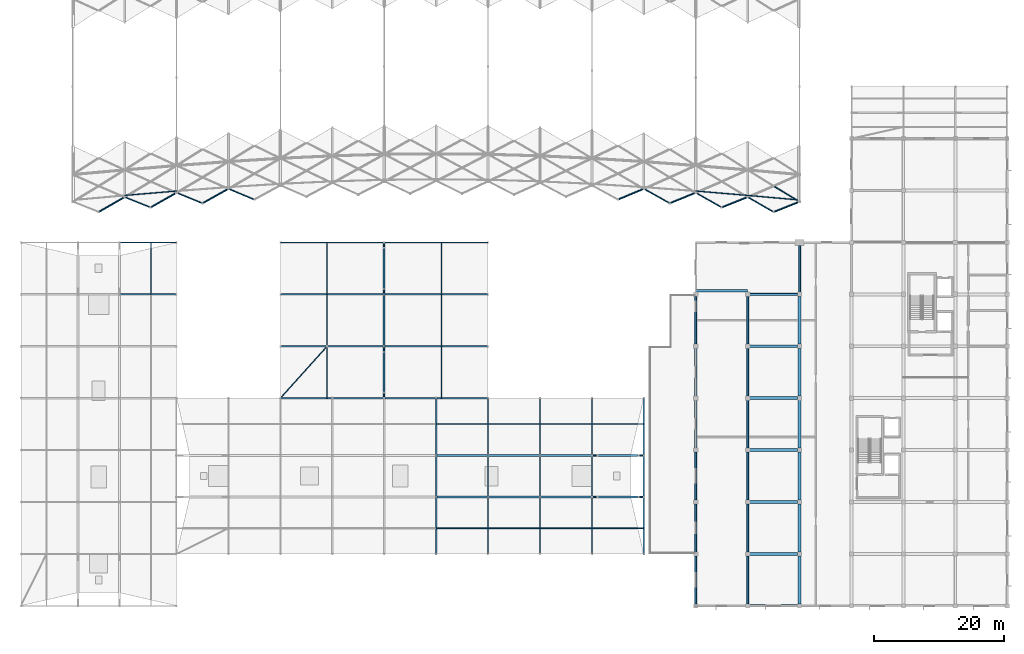
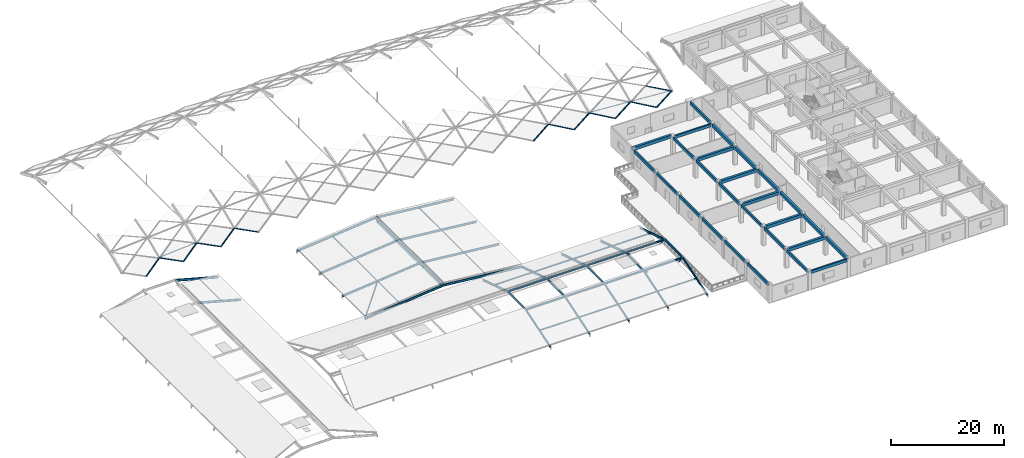
# One storey, part 3 of 54: 53 members, 52 beams.
"""IFC4 building model written with IfcOpenShell, lengths in metres."""

from ifc_helpers import new_model, si_unit, direction, frame, origin, origin_2d, place, context, subcontext, project, spatial, rectangle, hollow_rectangle, hollow_circle, i_section, extrude, material, material_profile, profile_set, type_object, element, save


model = new_model("IFC4")

# Units and contexts
model_context = context("Model", 3, precision=1e-05, world=origin(), true_north=direction((0.0, 1.0)))
body_context = subcontext(model_context, "Body", "Model", "MODEL_VIEW")
ifc_project = project(units=[si_unit("LENGTHUNIT", "METRE"), si_unit("AREAUNIT", "SQUARE_METRE"), si_unit("VOLUMEUNIT", "CUBIC_METRE"), si_unit("PLANEANGLEUNIT", "RADIAN"), si_unit("MASSUNIT", "GRAM", prefix="KILO")], contexts=[model_context])

# Site, building, storey
site_placement = place(None, origin())
site = spatial("IfcSite", under=ifc_project, at=site_placement, CompositionType="ELEMENT")
building_placement = place(site_placement, origin())
building = spatial("IfcBuilding", under=site, at=building_placement, Name="Kenh Van Central Station", CompositionType="ELEMENT")
storey_placement = place(building_placement, frame((0.0, 0.0, 15.0)))
storey = spatial("IfcBuildingStorey", under=building, at=storey_placement, Name="L03", CompositionType="ELEMENT", Elevation=15.0)

# Beams
ifc_material_1 = material(Name="Concrete C35/45", Category="concrete")
ifc_material_profile_1 = material_profile(ifc_material_1, rectangle(XDim=0.449951171875, YDim=0.64990234375, at=origin_2d()), Name="RC 450x650")
ifc_profile_set_1 = profile_set([ifc_material_profile_1], Name="Concrete C35/45")
beam_type_1 = type_object("IfcBeamType", Name="BM-RC-450x650", PredefinedType="BEAM", material=ifc_profile_set_1)
for number, where, z_axis, x_axis, name in (
    (1, (136.31494140625, 16.0, 3.635009765625), (1.0, 0.0, 0.0), (0.0, 1.0, 0.0), "L03 beam 1109"),
    (2, (136.31494140625, 24.0, 3.635009765625), (1.0, 0.0, 0.0), (0.0, 1.0, 0.0), "L03 beam 1113"),
    (3, (136.31494140625, 32.0, 3.635009765625), (1.0, 0.0, 0.0), (0.0, 1.0, 0.0), "L03 beam 1117"),
    (4, (136.31494140625, 40.0, 3.635009765625), (1.0, 0.0, 0.0), (0.0, 1.0, 0.0), "L03 beam 1120"),
    (5, (136.31494140625, 48.0, 3.635009765625), (1.0, 0.0, 0.0), (0.0, 1.0, 0.0), "L03 beam 1124"),
    (6, (144.0, 8.31494140625, 3.659912109375), (0.0, 1.0, 0.0), (-1.0, 0.0, 0.0), "L03 beam 1152"),
    (7, (144.0, 16.31494140625, 3.635009765625), (0.0, 1.0, 0.0), (-1.0, 0.0, 0.0), "L03 beam 1153"),
    (8, (144.0, 24.31494140625, 3.635009765625), (0.0, 1.0, 0.0), (-1.0, 0.0, 0.0), "L03 beam 1154"),
    (9, (144.0, 32.31494140625, 3.635009765625), (0.0, 1.0, 0.0), (-1.0, 0.0, 0.0), "L03 beam 1155"),
    (10, (144.0, 40.31494140625, 3.635009765625), (0.0, 1.0, 0.0), (-1.0, 0.0, 0.0), "L03 beam 1156"),
    (11, (144.0, 48.31494140625, 3.635009765625), (0.0, 1.0, 0.0), (-1.0, 0.0, 0.0), "L03 beam 1157"),
):
    element("IfcBeam", number, at=place(storey_placement, frame(where, z_axis=z_axis, x_axis=x_axis)), inside=storey, type_object=beam_type_1, Name=name, PredefinedType="BEAM", context=body_context, shape_type="SweptSolid", body=[
        extrude(rectangle(XDim=0.449951171875, YDim=0.64990234375, at=origin_2d()), origin(), (0.0, 0.0, 1.0), 7.3701171875),
    ])
beam_1_placement = place(storey_placement, frame((128.0, 56.550048828125, 3.669921875), z_axis=(1.0, 0.0, 0.0), x_axis=(0.0, 1.0, 0.0)))
element("IfcBeam", 12, at=beam_1_placement, inside=storey, type_object=beam_type_1, Name="L03 north-west roof deck support beam", PredefinedType="BEAM", context=body_context, shape_type="SweptSolid", body=[
    extrude(rectangle(XDim=0.449951171875, YDim=0.64990234375, at=origin_2d()), origin(), (0.0, 0.0, 1.0), 8.0),
])
ifc_material_2 = material(Name="Steel S355", Category="steel")
ifc_material_profile_2 = material_profile(ifc_material_2, i_section(OverallWidth=0.18994140625, OverallDepth=0.449951171875, WebThickness=0.009521484375, FlangeThickness=0.0146484375, FilletRadius=0.02099609375, at=origin_2d()), Name="IPE 450")
ifc_profile_set_2 = profile_set([ifc_material_profile_2], Name="Steel S355")
beam_type_2 = type_object("IfcBeamType", Name="BM-STL-IPE450", PredefinedType="BEAM", material=ifc_profile_set_2)
beam_2_placement = place(storey_placement, frame((88.0, 16.0, -0.501708984375), z_axis=(0.0, 0.952924738396, 0.30320693091), x_axis=(-1.0, 0.0, 0.0)))
element("IfcBeam", 13, at=beam_2_placement, inside=storey, type_object=beam_type_2, Name="L03 roof rafter 057", PredefinedType="BEAM", context=body_context, shape_type="SweptSolid", body=[
    extrude(i_section(OverallWidth=0.18994140625, OverallDepth=0.449951171875, WebThickness=0.009521484375, FlangeThickness=0.0146484375, FilletRadius=0.02099609375, at=origin_2d()), origin(), (0.0, 0.0, 1.0), 9.23486328125),
])
beam_3_placement = place(storey_placement, frame((88.0, 24.800048828125, 2.29833984375), z_axis=(0.0, 0.999937113546, 0.011214675799), x_axis=(-1.0, 0.0, 0.0)))
element("IfcBeam", 14, at=beam_3_placement, inside=storey, type_object=beam_type_2, Name="L03 roof rafter 058", PredefinedType="BEAM", context=body_context, shape_type="SweptSolid", body=[
    extrude(i_section(OverallWidth=0.18994140625, OverallDepth=0.449951171875, WebThickness=0.009521484375, FlangeThickness=0.0146484375, FilletRadius=0.02099609375, at=origin_2d()), origin(), (0.0, 0.0, 1.0), 6.400390625),
])
for number, where, z_axis, x_axis, name in (
    (15, (88.0, 31.199951171875, 2.29833984375), (0.0, 0.952924738396, -0.30320693091), (-1.0, 0.0, 0.0), "L03 roof rafter 059"),
    (16, (96.0, 16.0, -0.501708984375), (0.0, 0.952924738396, 0.30320693091), (-1.0, 0.0, 0.0), "L03 roof rafter 060"),
):
    element("IfcBeam", number, at=place(storey_placement, frame(where, z_axis=z_axis, x_axis=x_axis)), inside=storey, type_object=beam_type_2, Name=name, PredefinedType="BEAM", context=body_context, shape_type="SweptSolid", body=[
        extrude(i_section(OverallWidth=0.18994140625, OverallDepth=0.449951171875, WebThickness=0.009521484375, FlangeThickness=0.0146484375, FilletRadius=0.02099609375, at=origin_2d()), origin(), (0.0, 0.0, 1.0), 9.23486328125),
    ])
beam_4_placement = place(storey_placement, frame((96.0, 24.800048828125, 2.29833984375), z_axis=(0.0, 0.999937113546, 0.011214675799), x_axis=(-1.0, 0.0, 0.0)))
element("IfcBeam", 17, at=beam_4_placement, inside=storey, type_object=beam_type_2, Name="L03 roof rafter 061", PredefinedType="BEAM", context=body_context, shape_type="SweptSolid", body=[
    extrude(i_section(OverallWidth=0.18994140625, OverallDepth=0.449951171875, WebThickness=0.009521484375, FlangeThickness=0.0146484375, FilletRadius=0.02099609375, at=origin_2d()), origin(), (0.0, 0.0, 1.0), 6.400390625),
])
for number, where, z_axis, x_axis, name in (
    (18, (96.0, 31.199951171875, 2.29833984375), (0.0, 0.952924738396, -0.30320693091), (-1.0, 0.0, 0.0), "L03 roof rafter 062"),
    (19, (104.0, 16.0, -0.501708984375), (0.0, 0.952924738396, 0.30320693091), (-1.0, 0.0, 0.0), "L03 roof rafter 063"),
):
    element("IfcBeam", number, at=place(storey_placement, frame(where, z_axis=z_axis, x_axis=x_axis)), inside=storey, type_object=beam_type_2, Name=name, PredefinedType="BEAM", context=body_context, shape_type="SweptSolid", body=[
        extrude(i_section(OverallWidth=0.18994140625, OverallDepth=0.449951171875, WebThickness=0.009521484375, FlangeThickness=0.0146484375, FilletRadius=0.02099609375, at=origin_2d()), origin(), (0.0, 0.0, 1.0), 9.23486328125),
    ])
beam_5_placement = place(storey_placement, frame((104.0, 24.800048828125, 2.29833984375), z_axis=(0.0, 0.999937113546, 0.011214675799), x_axis=(-1.0, 0.0, 0.0)))
element("IfcBeam", 20, at=beam_5_placement, inside=storey, type_object=beam_type_2, Name="L03 roof rafter 064", PredefinedType="BEAM", context=body_context, shape_type="SweptSolid", body=[
    extrude(i_section(OverallWidth=0.18994140625, OverallDepth=0.449951171875, WebThickness=0.009521484375, FlangeThickness=0.0146484375, FilletRadius=0.02099609375, at=origin_2d()), origin(), (0.0, 0.0, 1.0), 6.400390625),
])
for number, where, z_axis, x_axis, name in (
    (21, (104.0, 31.199951171875, 2.29833984375), (0.0, 0.952924738396, -0.30320693091), (-1.0, 0.0, 0.0), "L03 roof rafter 065"),
    (22, (112.0, 16.0, -0.501708984375), (0.0, 0.952924738396, 0.30320693091), (-1.0, 0.0, 0.0), "L03 roof rafter 066"),
):
    element("IfcBeam", number, at=place(storey_placement, frame(where, z_axis=z_axis, x_axis=x_axis)), inside=storey, type_object=beam_type_2, Name=name, PredefinedType="BEAM", context=body_context, shape_type="SweptSolid", body=[
        extrude(i_section(OverallWidth=0.18994140625, OverallDepth=0.449951171875, WebThickness=0.009521484375, FlangeThickness=0.0146484375, FilletRadius=0.02099609375, at=origin_2d()), origin(), (0.0, 0.0, 1.0), 9.23486328125),
    ])
beam_6_placement = place(storey_placement, frame((112.0, 24.800048828125, 2.29833984375), z_axis=(0.0, 0.999937113546, 0.011214675799), x_axis=(-1.0, 0.0, 0.0)))
element("IfcBeam", 23, at=beam_6_placement, inside=storey, type_object=beam_type_2, Name="L03 roof rafter 067", PredefinedType="BEAM", context=body_context, shape_type="SweptSolid", body=[
    extrude(i_section(OverallWidth=0.18994140625, OverallDepth=0.449951171875, WebThickness=0.009521484375, FlangeThickness=0.0146484375, FilletRadius=0.02099609375, at=origin_2d()), origin(), (0.0, 0.0, 1.0), 6.400390625),
])
for number, where, z_axis, x_axis, name in (
    (24, (112.0, 31.199951171875, 2.29833984375), (0.0, 0.952924738396, -0.30320693091), (-1.0, 0.0, 0.0), "L03 roof rafter 068"),
    (25, (120.0, 16.0, -0.501708984375), (0.0, 0.952924738396, 0.30320693091), (-1.0, 0.0, 0.0), "L03 roof rafter 069"),
):
    element("IfcBeam", number, at=place(storey_placement, frame(where, z_axis=z_axis, x_axis=x_axis)), inside=storey, type_object=beam_type_2, Name=name, PredefinedType="BEAM", context=body_context, shape_type="SweptSolid", body=[
        extrude(i_section(OverallWidth=0.18994140625, OverallDepth=0.449951171875, WebThickness=0.009521484375, FlangeThickness=0.0146484375, FilletRadius=0.02099609375, at=origin_2d()), origin(), (0.0, 0.0, 1.0), 9.23486328125),
    ])
beam_7_placement = place(storey_placement, frame((120.0, 24.800048828125, 2.29833984375), z_axis=(0.0, 0.999937113546, 0.011214675799), x_axis=(-1.0, 0.0, 0.0)))
element("IfcBeam", 26, at=beam_7_placement, inside=storey, type_object=beam_type_2, Name="L03 roof rafter 070", PredefinedType="BEAM", context=body_context, shape_type="SweptSolid", body=[
    extrude(i_section(OverallWidth=0.18994140625, OverallDepth=0.449951171875, WebThickness=0.009521484375, FlangeThickness=0.0146484375, FilletRadius=0.02099609375, at=origin_2d()), origin(), (0.0, 0.0, 1.0), 6.400390625),
])
beam_8_placement = place(storey_placement, frame((120.0, 31.199951171875, 2.29833984375), z_axis=(0.0, 0.952924738396, -0.30320693091), x_axis=(-1.0, 0.0, 0.0)))
element("IfcBeam", 27, at=beam_8_placement, inside=storey, type_object=beam_type_2, Name="L03 roof rafter 071", PredefinedType="BEAM", context=body_context, shape_type="SweptSolid", body=[
    extrude(i_section(OverallWidth=0.18994140625, OverallDepth=0.449951171875, WebThickness=0.009521484375, FlangeThickness=0.0146484375, FilletRadius=0.02099609375, at=origin_2d()), origin(), (0.0, 0.0, 1.0), 9.23486328125),
])
for number, where, z_axis, x_axis, name in (
    (28, (64.0, 40.0, -0.467041015625), (0.995038092134, 0.0, 0.099494699368), (0.0, 1.0, 0.0), "L03 roof rafter 075"),
    (29, (80.0, 40.0, 1.1328125), (0.995038092134, 0.0, -0.099494699368), (0.0, 1.0, 0.0), "L03 roof rafter 076"),
    (30, (64.0, 48.0, -0.467041015625), (0.995038092134, 0.0, 0.099494699368), (0.0, 1.0, 0.0), "L03 roof rafter 077"),
    (31, (80.0, 48.0, 1.1328125), (0.995038092134, 0.0, -0.099494699368), (0.0, 1.0, 0.0), "L03 roof rafter 078"),
    (32, (64.0, 56.0, -0.467041015625), (0.995038092134, 0.0, 0.099494699368), (0.0, 1.0, 0.0), "L03 roof rafter 079"),
    (33, (80.0, 56.0, 1.1328125), (0.995038092134, 0.0, -0.099494699368), (0.0, 1.0, 0.0), "L03 roof rafter 080"),
    (34, (64.0, 64.0, -0.467041015625), (0.995038092134, 0.0, 0.099494699368), (0.0, 1.0, 0.0), "L03 roof rafter 081"),
    (35, (80.0, 64.0, 1.1328125), (0.995038092134, 0.0, -0.099494699368), (0.0, 1.0, 0.0), "L03 roof rafter 082"),
):
    element("IfcBeam", number, at=place(storey_placement, frame(where, z_axis=z_axis, x_axis=x_axis)), inside=storey, type_object=beam_type_2, Name=name, PredefinedType="BEAM", context=body_context, shape_type="SweptSolid", body=[
        extrude(i_section(OverallWidth=0.18994140625, OverallDepth=0.449951171875, WebThickness=0.009521484375, FlangeThickness=0.0146484375, FilletRadius=0.02099609375, at=origin_2d()), origin(), (0.0, 0.0, 1.0), 16.079833984375),
    ])
for number, where, z_axis, x_axis, name in (
    (36, (39.199951171875, 56.0, 1.91943359375), (0.964766909512, 0.0, -0.263106081856), (0.0, 1.0, 0.0), "L03 roof rafter 117"),
    (37, (39.199951171875, 64.0, 1.91943359375), (0.964766909512, 0.0, -0.263106081856), (0.0, 1.0, 0.0), "L03 roof rafter 120"),
):
    element("IfcBeam", number, at=place(storey_placement, frame(where, z_axis=z_axis, x_axis=x_axis)), inside=storey, type_object=beam_type_2, Name=name, PredefinedType="BEAM", context=body_context, shape_type="SweptSolid", body=[
        extrude(i_section(OverallWidth=0.18994140625, OverallDepth=0.449951171875, WebThickness=0.009521484375, FlangeThickness=0.0146484375, FilletRadius=0.02099609375, at=origin_2d()), origin(), (0.0, 0.0, 1.0), 9.121337890625),
    ])

# Members
ifc_material_profile_3 = material_profile(ifc_material_2, i_section(OverallWidth=0.10009765625, OverallDepth=0.199951171875, WebThickness=0.005615234375, FlangeThickness=0.008544921875, FilletRadius=0.011962890625, at=origin_2d()), Name="IPE 200")
ifc_profile_set_3 = profile_set([ifc_material_profile_3], Name="Steel S355")
member_type_1 = type_object("IfcMemberType", Name="MEM-PUR-IPE200", PredefinedType="PURLIN", material=ifc_profile_set_3)
for number, where, z_axis, x_axis, name in (
    (38, (88.0, 19.9599609375, 0.75830078125), (1.0, 0.0, 0.0), (0.0, 1.0, 0.0), "L03 roof purlin 020"),
    (39, (96.0, 19.9599609375, 0.75830078125), (1.0, 0.0, 0.0), (0.0, 1.0, 0.0), "L03 roof purlin 021"),
    (40, (104.0, 19.9599609375, 0.75830078125), (1.0, 0.0, 0.0), (0.0, 1.0, 0.0), "L03 roof purlin 022"),
    (41, (112.0, 19.9599609375, 0.75830078125), (1.0, 0.0, 0.0), (0.0, 1.0, 0.0), "L03 roof purlin 023"),
    (42, (88.0, 36.0400390625, 0.75830078125), (1.0, 0.0, 0.0), (0.0, 1.0, 0.0), "L03 roof purlin 029"),
    (43, (96.0, 36.0400390625, 0.75830078125), (1.0, 0.0, 0.0), (0.0, 1.0, 0.0), "L03 roof purlin 030"),
    (44, (104.0, 36.0400390625, 0.75830078125), (1.0, 0.0, 0.0), (0.0, 1.0, 0.0), "L03 roof purlin 031"),
    (45, (112.0, 36.0400390625, 0.75830078125), (1.0, 0.0, 0.0), (0.0, 1.0, 0.0), "L03 roof purlin 032"),
    (46, (71.199951171875, 40.0, 0.2529296875), (0.0, 1.0, 0.0), (-1.0, 0.0, 0.0), "L03 roof purlin 033"),
    (47, (71.199951171875, 48.0, 0.2529296875), (0.0, 1.0, 0.0), (-1.0, 0.0, 0.0), "L03 roof purlin 034"),
    (48, (71.199951171875, 56.0, 0.2529296875), (0.0, 1.0, 0.0), (-1.0, 0.0, 0.0), "L03 roof purlin 035"),
    (49, (88.800048828125, 40.0, 0.2529296875), (0.0, 1.0, 0.0), (-1.0, 0.0, 0.0), "L03 roof purlin 036"),
    (50, (88.800048828125, 48.0, 0.2529296875), (0.0, 1.0, 0.0), (-1.0, 0.0, 0.0), "L03 roof purlin 037"),
    (51, (88.800048828125, 56.0, 0.2529296875), (0.0, 1.0, 0.0), (-1.0, 0.0, 0.0), "L03 roof purlin 038"),
    (52, (44.0400390625, 56.0, 0.599609375), (0.0, 1.0, 0.0), (-1.0, 0.0, 0.0), "L03 roof purlin 052"),
):
    element("IfcMember", number, at=place(storey_placement, frame(where, z_axis=z_axis, x_axis=x_axis)), inside=storey, type_object=member_type_1, Name=name, PredefinedType="PURLIN", context=body_context, shape_type="SweptSolid", body=[
        extrude(i_section(OverallWidth=0.10009765625, OverallDepth=0.199951171875, WebThickness=0.005615234375, FlangeThickness=0.008544921875, FilletRadius=0.011962890625, at=origin_2d()), origin(), (0.0, 0.0, 1.0), 8.0),
    ])
ifc_material_3 = material(Name="White fluoropolymer structural steel S355", Category="steel")
ifc_material_profile_4 = material_profile(ifc_material_3, hollow_rectangle(XDim=0.10009765625, YDim=0.199951171875, WallThickness=0.008056640625, InnerFilletRadius=0.008056640625, OuterFilletRadius=0.01611328125, at=origin_2d()), Name="RHS 200x100x8")
ifc_profile_set_4 = profile_set([ifc_material_profile_4], Name="White fluoropolymer structural steel S355")
member_type_2 = type_object("IfcMemberType", Name="MEM-PUR-RHS200", PredefinedType="PURLIN", material=ifc_profile_set_4)
for number, where, z_axis, x_axis, name in (
    (53, (40.0, 71.244873046875, 2.13330078125), (0.996446063383, 0.084233264025, 0.0), (-0.084233264025, 0.996446063383, 0.0), "Vault longitudinal purlin 002"),
    (54, (128.0, 71.921142578125, 2.13330078125), (0.996446063383, -0.084233264025, 0.0), (0.084233264025, 0.996446063383, 0.0), "Vault longitudinal purlin 013"),
):
    element("IfcMember", number, at=place(storey_placement, frame(where, z_axis=z_axis, x_axis=x_axis)), inside=storey, type_object=member_type_2, Name=name, PredefinedType="PURLIN", context=body_context, shape_type="SweptSolid", body=[
        extrude(hollow_rectangle(XDim=0.10009765625, YDim=0.199951171875, WallThickness=0.008056640625, InnerFilletRadius=0.008056640625, OuterFilletRadius=0.01611328125, at=origin_2d()), origin(), (0.0, 0.0, 1.0), 8.028564453125),
    ])
member_1_placement = place(storey_placement, frame((136.0, 71.244873046875, 2.13330078125), z_axis=(0.99606113461, -0.088669138478, 0.0), x_axis=(0.088669138478, 0.99606113461, 0.0)))
element("IfcMember", 55, at=member_1_placement, inside=storey, type_object=member_type_2, Name="Vault longitudinal purlin 014", PredefinedType="PURLIN", context=body_context, shape_type="SweptSolid", body=[
    extrude(hollow_rectangle(XDim=0.10009765625, YDim=0.199951171875, WallThickness=0.008056640625, InnerFilletRadius=0.008056640625, OuterFilletRadius=0.01611328125, at=origin_2d()), origin(), (0.0, 0.0, 1.0), 8.03173828125),
])
ifc_material_profile_5 = material_profile(ifc_material_2, hollow_circle(Radius=0.084228515625, WallThickness=0.008056640625, at=origin_2d()), Name="CHS 168.3x8")
ifc_profile_set_5 = profile_set([ifc_material_profile_5], Name="Steel S355")
member_type_3 = type_object("IfcMemberType", Name="MEM-ROOF-BRC168", PredefinedType="BRACE", material=ifc_profile_set_5)
for number, where, z_axis, x_axis, name in (
    (56, (112.85009765625, 24.800048828125, 1.67822265625), (-0.807892458304, 0.0, 0.589329937993), (0.0, -1.0, 0.0), "L03 roof truss web diagonal 011"),
    (57, (119.14990234375, 24.800048828125, 1.67822265625), (0.807892458304, 0.0, 0.589329937993), (0.0, 1.0, 0.0), "L03 roof truss web diagonal 012"),
    (58, (112.85009765625, 31.199951171875, 1.67822265625), (-0.807892458304, 0.0, 0.589329937993), (0.0, -1.0, 0.0), "L03 roof truss web diagonal 016"),
    (59, (119.14990234375, 31.199951171875, 1.67822265625), (0.807892458304, 0.0, 0.589329937993), (0.0, 1.0, 0.0), "L03 roof truss web diagonal 017"),
):
    element("IfcMember", number, at=place(storey_placement, frame(where, z_axis=z_axis, x_axis=x_axis)), inside=storey, type_object=member_type_3, Name=name, PredefinedType="BRACE", context=body_context, shape_type="SweptSolid", body=[
        extrude(hollow_circle(Radius=0.084228515625, WallThickness=0.008056640625, at=origin_2d()), origin(), (0.0, 0.0, 1.0), 1.05224609375),
    ])
member_2_placement = place(storey_placement, frame((64.0, 40.0, -0.467041015625), z_axis=(0.667470493232, 0.741638910929, 0.066744786021), x_axis=(-0.743296402071, 0.668962225143, 0.0)))
element("IfcMember", 60, at=member_2_placement, inside=storey, type_object=member_type_3, Name="L03 roof wind brace 018", PredefinedType="BRACE", context=body_context, shape_type="SweptSolid", body=[
    extrude(hollow_circle(Radius=0.084228515625, WallThickness=0.008056640625, at=origin_2d()), origin(), (0.0, 0.0, 1.0), 10.786865234375),
])
member_3_placement = place(storey_placement, frame((80.0, 40.85009765625, 0.512939453125), z_axis=(0.0, 1.0, 0.0), x_axis=(-1.0, 0.0, 0.0)))
element("IfcMember", 61, at=member_3_placement, inside=storey, type_object=member_type_3, Name="L03 roof truss lower chord 019", PredefinedType="BRACE", context=body_context, shape_type="SweptSolid", body=[
    extrude(hollow_circle(Radius=0.084228515625, WallThickness=0.008056640625, at=origin_2d()), origin(), (0.0, 0.0, 1.0), 22.2998046875),
])
for number, where, z_axis, x_axis, name in (
    (62, (80.0, 40.85009765625, 0.512939453125), (0.0, -0.808002927302, 0.589178469966), (1.0, 0.0, 0.0), "L03 roof truss web diagonal 020"),
    (63, (80.0, 47.14990234375, 0.512939453125), (0.0, 0.808002927302, 0.589178469966), (-1.0, 0.0, 0.0), "L03 roof truss web diagonal 021"),
    (64, (80.0, 56.85009765625, 0.512939453125), (0.0, -0.808002927302, 0.589178469966), (1.0, 0.0, 0.0), "L03 roof truss web diagonal 022"),
    (65, (80.0, 63.14990234375, 0.512939453125), (0.0, 0.808002927302, 0.589178469966), (-1.0, 0.0, 0.0), "L03 roof truss web diagonal 023"),
):
    element("IfcMember", number, at=place(storey_placement, frame(where, z_axis=z_axis, x_axis=x_axis)), inside=storey, type_object=member_type_3, Name=name, PredefinedType="BRACE", context=body_context, shape_type="SweptSolid", body=[
        extrude(hollow_circle(Radius=0.084228515625, WallThickness=0.008056640625, at=origin_2d()), origin(), (0.0, 0.0, 1.0), 1.052001953125),
    ])
ifc_material_profile_6 = material_profile(ifc_material_2, i_section(OverallWidth=0.300048828125, OverallDepth=0.35009765625, WebThickness=0.010009765625, FlangeThickness=0.017578125, FilletRadius=0.027099609375, at=origin_2d()), Name="HEA 360")
ifc_profile_set_6 = profile_set([ifc_material_profile_6], Name="Steel S355")
member_type_4 = type_object("IfcMemberType", Name="MEM-ROOF-HEA360", PredefinedType="CHORD", material=ifc_profile_set_6)
for number, where, z_axis, x_axis, name in (
    (66, (88.0, 24.800048828125, 2.29833984375), (1.0, 0.0, 0.0), (0.0, 1.0, 0.0), "L03 roof ridge chord 029"),
    (67, (96.0, 24.800048828125, 2.29833984375), (1.0, 0.0, 0.0), (0.0, 1.0, 0.0), "L03 roof ridge chord 030"),
    (68, (104.0, 24.800048828125, 2.29833984375), (1.0, 0.0, 0.0), (0.0, 1.0, 0.0), "L03 roof ridge chord 031"),
    (69, (112.0, 24.800048828125, 2.29833984375), (1.0, 0.0, 0.0), (0.0, 1.0, 0.0), "L03 roof ridge chord 032"),
    (70, (88.0, 31.199951171875, 2.29833984375), (1.0, 0.0, 0.0), (0.0, 1.0, 0.0), "L03 roof ridge chord 038"),
    (71, (96.0, 31.199951171875, 2.29833984375), (1.0, 0.0, 0.0), (0.0, 1.0, 0.0), "L03 roof ridge chord 039"),
    (72, (104.0, 31.199951171875, 2.29833984375), (1.0, 0.0, 0.0), (0.0, 1.0, 0.0), "L03 roof ridge chord 040"),
    (73, (112.0, 31.199951171875, 2.29833984375), (1.0, 0.0, 0.0), (0.0, 1.0, 0.0), "L03 roof ridge chord 041"),
    (74, (80.0, 40.0, 1.1328125), (0.0, 1.0, 0.0), (-1.0, 0.0, 0.0), "L03 roof ridge chord 072"),
    (75, (80.0, 48.0, 1.1328125), (0.0, 1.0, 0.0), (-1.0, 0.0, 0.0), "L03 roof ridge chord 073"),
    (76, (80.0, 56.0, 1.1328125), (0.0, 1.0, 0.0), (-1.0, 0.0, 0.0), "L03 roof ridge chord 074"),
):
    element("IfcMember", number, at=place(storey_placement, frame(where, z_axis=z_axis, x_axis=x_axis)), inside=storey, type_object=member_type_4, Name=name, PredefinedType="CHORD", context=body_context, shape_type="SweptSolid", body=[
        extrude(i_section(OverallWidth=0.300048828125, OverallDepth=0.35009765625, WebThickness=0.010009765625, FlangeThickness=0.017578125, FilletRadius=0.027099609375, at=origin_2d()), origin(), (0.0, 0.0, 1.0), 8.0),
    ])
ifc_material_profile_7 = material_profile(ifc_material_3, hollow_circle(Radius=0.109619140625, WallThickness=0.008056640625, at=origin_2d()), Name="CHS 219.1x8")
ifc_profile_set_7 = profile_set([ifc_material_profile_7], Name="White fluoropolymer structural steel S355")
member_type_5 = type_object("IfcMemberType", Name="MEM-VAULT-BRC219", PredefinedType="BRACE", material=ifc_profile_set_7)
member_4_placement = place(storey_placement, frame((40.0, 70.9814453125, 2.228515625), z_axis=(0.893708100348, -0.357559606798, -0.2709925441), x_axis=(0.371459067821, 0.928449331377, 0.0)))
element("IfcMember", 77, at=member_4_placement, inside=storey, type_object=member_type_5, Name="Vault diamond grid member 0053", PredefinedType="BRACE", context=body_context, shape_type="SweptSolid", body=[
    extrude(hollow_circle(Radius=0.109619140625, WallThickness=0.008056640625, at=origin_2d()), origin(), (0.0, 0.0, 1.0), 4.475830078125),
])
member_5_placement = place(storey_placement, frame((48.0, 71.657958984375, 2.228515625), z_axis=(0.891481281125, -0.363578974638, -0.27031732206), x_axis=(0.377637950634, 0.925953334807, 0.0)))
element("IfcMember", 78, at=member_5_placement, inside=storey, type_object=member_type_5, Name="Vault diamond grid member 0101", PredefinedType="BRACE", context=body_context, shape_type="SweptSolid", body=[
    extrude(hollow_circle(Radius=0.109619140625, WallThickness=0.008056640625, at=origin_2d()), origin(), (0.0, 0.0, 1.0), 4.48681640625),
])
member_6_placement = place(storey_placement, frame((56.0, 72.2646484375, 2.228515625), z_axis=(0.888102087291, -0.372499850089, -0.26929267393), x_axis=(0.386788439122, 0.922168478838, 0.0)))
element("IfcMember", 79, at=member_6_placement, inside=storey, type_object=member_type_5, Name="Vault diamond grid member 0149", PredefinedType="BRACE", context=body_context, shape_type="SweptSolid", body=[
    extrude(hollow_circle(Radius=0.109619140625, WallThickness=0.008056640625, at=origin_2d()), origin(), (0.0, 0.0, 1.0), 4.50390625),
])
member_7_placement = place(storey_placement, frame((120.0, 72.2646484375, 2.228515625), z_axis=(0.84365069926, -0.472030393073, -0.255814005977), x_axis=(0.48827732384, 0.872688521194, 0.0)))
element("IfcMember", 80, at=member_7_placement, inside=storey, type_object=member_type_5, Name="Vault diamond grid member 0517", PredefinedType="BRACE", context=body_context, shape_type="SweptSolid", body=[
    extrude(hollow_circle(Radius=0.109619140625, WallThickness=0.008056640625, at=origin_2d()), origin(), (0.0, 0.0, 1.0), 4.7412109375),
])
member_8_placement = place(storey_placement, frame((128.0, 71.657958984375, 2.228515625), z_axis=(0.840381117245, -0.478356585658, -0.254822594633), x_axis=(0.494687291244, 0.86907104651, 0.0)))
element("IfcMember", 81, at=member_8_placement, inside=storey, type_object=member_type_5, Name="Vault diamond grid member 0565", PredefinedType="BRACE", context=body_context, shape_type="SweptSolid", body=[
    extrude(hollow_circle(Radius=0.109619140625, WallThickness=0.008056640625, at=origin_2d()), origin(), (0.0, 0.0, 1.0), 4.759765625),
])
member_9_placement = place(storey_placement, frame((136.0, 70.9814453125, 2.228515625), z_axis=(0.838501883324, -0.481944106156, -0.254252768332), x_axis=(0.498319996087, 0.866993184229, 0.0)))
element("IfcMember", 82, at=member_9_placement, inside=storey, type_object=member_type_5, Name="Vault diamond grid member 0613", PredefinedType="BRACE", context=body_context, shape_type="SweptSolid", body=[
    extrude(hollow_circle(Radius=0.109619140625, WallThickness=0.008056640625, at=origin_2d()), origin(), (0.0, 0.0, 1.0), 4.7705078125),
])
member_10_placement = place(storey_placement, frame((140.0, 72.68701171875, 3.237060546875), z_axis=(0.836582586796, -0.505605516019, -0.210932779911), x_axis=(0.517243193573, 0.855838465309, 0.0)))
element("IfcMember", 83, at=member_10_placement, inside=storey, type_object=member_type_5, Name="Vault diamond grid member 0638", PredefinedType="BRACE", context=body_context, shape_type="SweptSolid", body=[
    extrude(hollow_circle(Radius=0.109619140625, WallThickness=0.008056640625, at=origin_2d()), origin(), (0.0, 0.0, 1.0), 4.78125),
])
ifc_material_profile_8 = material_profile(ifc_material_3, hollow_circle(Radius=0.136474609375, WallThickness=0.010009765625, at=origin_2d()), Name="CHS 273x10")
ifc_profile_set_8 = profile_set([ifc_material_profile_8], Name="White fluoropolymer structural steel S355")
member_type_6 = type_object("IfcMemberType", Name="MEM-VAULT-CHD273", PredefinedType="CHORD", material=ifc_profile_set_8)
member_11_placement = place(storey_placement, frame((36.0, 68.682373046875, 1.015625), z_axis=(0.838501883324, 0.481944106156, 0.254252768332), x_axis=(-0.498319996087, 0.866993184229, 0.0)))
element("IfcMember", 84, at=member_11_placement, inside=storey, type_object=member_type_6, Name="Vault diamond grid member 0027", PredefinedType="CHORD", context=body_context, shape_type="SweptSolid", body=[
    extrude(hollow_circle(Radius=0.136474609375, WallThickness=0.010009765625, at=origin_2d()), origin(), (0.0, 0.0, 1.0), 4.7705078125),
])
member_12_placement = place(storey_placement, frame((44.0, 69.381103515625, 1.015625), z_axis=(0.840381117245, 0.478356585658, 0.254822594633), x_axis=(-0.494687291244, 0.86907104651, 0.0)))
element("IfcMember", 85, at=member_12_placement, inside=storey, type_object=member_type_6, Name="Vault diamond grid member 0075", PredefinedType="CHORD", context=body_context, shape_type="SweptSolid", body=[
    extrude(hollow_circle(Radius=0.136474609375, WallThickness=0.010009765625, at=origin_2d()), origin(), (0.0, 0.0, 1.0), 4.759765625),
])
member_13_placement = place(storey_placement, frame((52.0, 70.026611328125, 1.015625), z_axis=(0.84365069926, 0.472030393073, 0.255814005977), x_axis=(-0.48827732384, 0.872688521194, 0.0)))
element("IfcMember", 86, at=member_13_placement, inside=storey, type_object=member_type_6, Name="Vault diamond grid member 0123", PredefinedType="CHORD", context=body_context, shape_type="SweptSolid", body=[
    extrude(hollow_circle(Radius=0.136474609375, WallThickness=0.010009765625, at=origin_2d()), origin(), (0.0, 0.0, 1.0), 4.7412109375),
])
member_14_placement = place(storey_placement, frame((116.0, 70.5869140625, 1.015625), z_axis=(0.888102087291, 0.372499850089, 0.26929267393), x_axis=(-0.386788439122, 0.922168478838, 0.0)))
element("IfcMember", 87, at=member_14_placement, inside=storey, type_object=member_type_6, Name="Vault diamond grid member 0491", PredefinedType="CHORD", context=body_context, shape_type="SweptSolid", body=[
    extrude(hollow_circle(Radius=0.136474609375, WallThickness=0.010009765625, at=origin_2d()), origin(), (0.0, 0.0, 1.0), 4.50390625),
])
member_15_placement = place(storey_placement, frame((124.0, 70.026611328125, 1.015625), z_axis=(0.891481281125, 0.363578974638, 0.27031732206), x_axis=(-0.377637950634, 0.925953334807, 0.0)))
element("IfcMember", 88, at=member_15_placement, inside=storey, type_object=member_type_6, Name="Vault diamond grid member 0539", PredefinedType="CHORD", context=body_context, shape_type="SweptSolid", body=[
    extrude(hollow_circle(Radius=0.136474609375, WallThickness=0.010009765625, at=origin_2d()), origin(), (0.0, 0.0, 1.0), 4.48681640625),
])
member_16_placement = place(storey_placement, frame((132.0, 69.381103515625, 1.015625), z_axis=(0.893708100348, 0.357559606798, 0.2709925441), x_axis=(-0.371459067821, 0.928449331377, 0.0)))
element("IfcMember", 89, at=member_16_placement, inside=storey, type_object=member_type_6, Name="Vault diamond grid member 0587", PredefinedType="CHORD", context=body_context, shape_type="SweptSolid", body=[
    extrude(hollow_circle(Radius=0.136474609375, WallThickness=0.010009765625, at=origin_2d()), origin(), (0.0, 0.0, 1.0), 4.475830078125),
])
member_17_placement = place(storey_placement, frame((140.0, 68.682373046875, 1.015625), z_axis=(0.89464696946, 0.35498656912, 0.271277230486), x_axis=(-0.368816734101, 0.929502133751, 0.0)))
element("IfcMember", 90, at=member_17_placement, inside=storey, type_object=member_type_6, Name="Vault diamond grid member 0635", PredefinedType="CHORD", context=body_context, shape_type="SweptSolid", body=[
    extrude(hollow_circle(Radius=0.136474609375, WallThickness=0.010009765625, at=origin_2d()), origin(), (0.0, 0.0, 1.0), 4.470947265625),
])

# Beams
ifc_material_profile_9 = material_profile(ifc_material_1, rectangle(XDim=0.300048828125, YDim=0.6201171875, at=origin_2d()), Name="RC 300x620")
ifc_profile_set_9 = profile_set([ifc_material_profile_9], Name="Concrete C35/45")
beam_type_3 = type_object("IfcBeamType", Name="SPD-RC-300x620", PredefinedType="SPANDREL", material=ifc_profile_set_9)
for number, where, z_axis, x_axis, name in (
    (91, (136.31494140625, 8.0, 3.675048828125), (1.0, 0.0, 0.0), (0.0, 1.0, 0.0), "L03 beam 1105"),
    (92, (136.31494140625, 56.0, 3.64990234375), (1.0, 0.0, 0.0), (0.0, 1.0, 0.0), "L03 beam 1128"),
    (93, (128.0, 8.31494140625, 3.669921875), (0.0, 1.0, 0.0), (-1.0, 0.0, 0.0), "L03 beam 1140"),
    (94, (128.0, 16.31494140625, 3.669921875), (0.0, 1.0, 0.0), (-1.0, 0.0, 0.0), "L03 beam 1141"),
    (95, (128.0, 24.31494140625, 3.669921875), (0.0, 1.0, 0.0), (-1.0, 0.0, 0.0), "L03 beam 1142"),
    (96, (128.0, 32.31494140625, 3.669921875), (0.0, 1.0, 0.0), (-1.0, 0.0, 0.0), "L03 beam 1143"),
    (97, (128.0, 40.31494140625, 3.669921875), (0.0, 1.0, 0.0), (-1.0, 0.0, 0.0), "L03 beam 1144"),
    (98, (128.0, 48.31494140625, 3.669921875), (0.0, 1.0, 0.0), (-1.0, 0.0, 0.0), "L03 beam 1145"),
    (99, (136.0, 8.31494140625, 3.675048828125), (0.0, 1.0, 0.0), (-1.0, 0.0, 0.0), "L03 beam 1146"),
    (100, (136.0, 16.31494140625, 3.64990234375), (0.0, 1.0, 0.0), (-1.0, 0.0, 0.0), "L03 beam 1147"),
    (101, (136.0, 24.31494140625, 3.64990234375), (0.0, 1.0, 0.0), (-1.0, 0.0, 0.0), "L03 beam 1148"),
    (102, (136.0, 32.31494140625, 3.64990234375), (0.0, 1.0, 0.0), (-1.0, 0.0, 0.0), "L03 beam 1149"),
    (103, (136.0, 40.31494140625, 3.64990234375), (0.0, 1.0, 0.0), (-1.0, 0.0, 0.0), "L03 beam 1150"),
    (104, (136.0, 48.31494140625, 3.64990234375), (0.0, 1.0, 0.0), (-1.0, 0.0, 0.0), "L03 beam 1151"),
):
    element("IfcBeam", number, at=place(storey_placement, frame(where, z_axis=z_axis, x_axis=x_axis)), inside=storey, type_object=beam_type_3, Name=name, PredefinedType="SPANDREL", context=body_context, shape_type="SweptSolid", body=[
        extrude(rectangle(XDim=0.300048828125, YDim=0.6201171875, at=origin_2d()), origin(), (0.0, 0.0, 1.0), 7.3701171875),
    ])
beam_9_placement = place(storey_placement, frame((144.0, 56.31494140625, 3.669921875), z_axis=(0.0, 1.0, 0.0), x_axis=(-1.0, 0.0, 0.0)))
element("IfcBeam", 105, at=beam_9_placement, inside=storey, type_object=beam_type_3, Name="L03 beam 1158", PredefinedType="SPANDREL", context=body_context, shape_type="SweptSolid", body=[
    extrude(rectangle(XDim=0.300048828125, YDim=0.6201171875, at=origin_2d()), origin(), (0.0, 0.0, 1.0), 7.2451171875),
])

save(model, "model.ifc")
